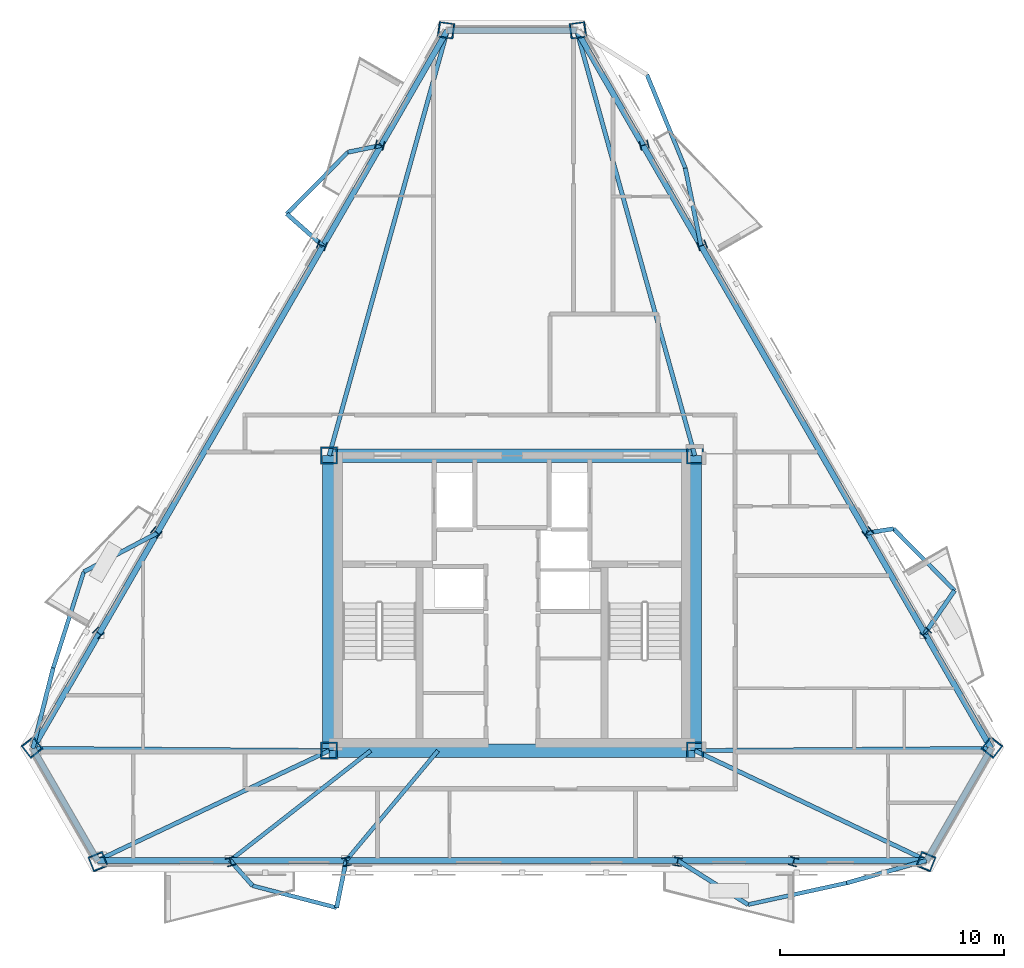
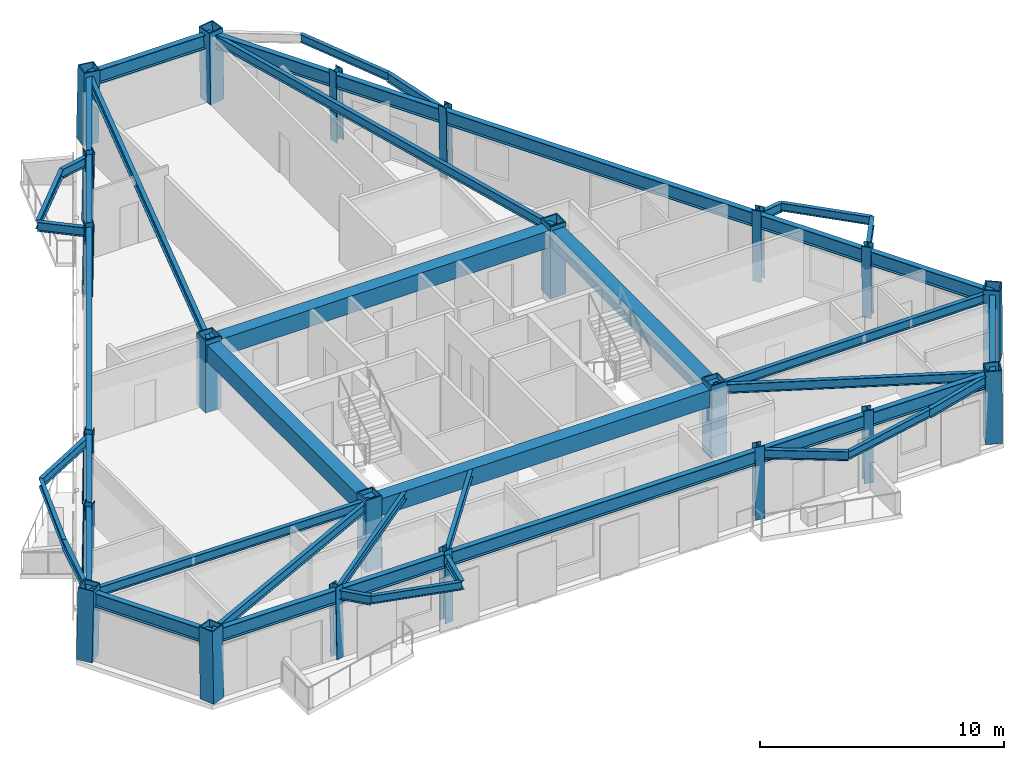
# One storey, part 1 of 9: 47 beams, 22 columns.
"""IFC4 building model written with IfcOpenShell, lengths in metres."""

from ifc_helpers import new_model, si_unit, direction, frame, origin, origin_2d, place, context, subcontext, project, spatial, rectangle, hollow_rectangle, i_section, extrude, material, material_profile, profile_set, type_object, element, save


model = new_model("IFC4")

# Units and contexts
model_context = context("Model", 3, precision=1e-05, world=origin(), true_north=direction((0.0, 1.0)))
body_context = subcontext(model_context, "Body", "Model", "MODEL_VIEW")
ifc_project = project(units=[si_unit("LENGTHUNIT", "METRE"), si_unit("AREAUNIT", "SQUARE_METRE"), si_unit("VOLUMEUNIT", "CUBIC_METRE"), si_unit("PLANEANGLEUNIT", "RADIAN"), si_unit("MASSUNIT", "GRAM", prefix="KILO")], contexts=[model_context])

# Site, building, storey
site_placement = place(None, origin())
site = spatial("IfcSite", under=ifc_project, at=site_placement, CompositionType="ELEMENT")
building_placement = place(site_placement, origin())
building = spatial("IfcBuilding", under=site, at=building_placement, Name="Oramaril Tower", CompositionType="ELEMENT")
storey_placement = place(building_placement, frame((0.0, 0.0, 237.89990234375)))
storey = spatial("IfcBuildingStorey", under=building, at=storey_placement, Name="L63", CompositionType="ELEMENT", Elevation=237.89990234375)

# Columns
ifc_material_1 = material(Name="Steel ASTM A572 Gr 50", Category="steel")
ifc_material_profile_1 = material_profile(ifc_material_1, hollow_rectangle(XDim=0.75, YDim=0.75, WallThickness=0.06005859375, at=origin_2d()), Name="BOX750X750X60")
ifc_profile_set_1 = profile_set([ifc_material_profile_1], Name="Steel ASTM A572 Gr 50")
column_type_1 = type_object("IfcColumnType", Name="CT-CC4", PredefinedType="COLUMN", material=ifc_profile_set_1)
for number, where, z_axis, x_axis, name in (
    (1, (29.35009765625, 11.0, 0.0), (0.0, 0.0, 1.0), (1.0, 0.0, 0.0), "L63 Core Column CC-1"),
    (2, (45.64990234375, 11.0, 0.0), (0.0, 0.0, 1.0), (1.0, 0.0, 0.0), "L63 Core Column CC-2"),
    (3, (45.64990234375, 24.14990234375, 0.0), (0.0, 0.0, 1.0), (1.0, 0.0, 0.0), "L63 Core Column CC-3"),
    (4, (29.35009765625, 24.14990234375, 0.0), (0.0, 0.0, 1.0), (1.0, 0.0, 0.0), "L63 Core Column CC-4"),
):
    element("IfcColumn", number, at=place(storey_placement, frame(where, z_axis=z_axis, x_axis=x_axis)), inside=storey, type_object=column_type_1, Name=name, PredefinedType="COLUMN", context=body_context, shape_type="SweptSolid", body=[
        extrude(hollow_rectangle(XDim=0.75, YDim=0.75, WallThickness=0.06005859375, at=origin_2d()), origin(), (0.0, 0.0, 1.0), 3.60009765625),
    ])
ifc_material_2 = material(Name="Steel ASTM A572 Gr 50", Category="steel")
ifc_material_profile_2 = material_profile(ifc_material_2, hollow_rectangle(XDim=0.699951171875, YDim=0.699951171875, WallThickness=0.054931640625, at=origin_2d()), Name="BOX700X700X55")
ifc_profile_set_2 = profile_set([ifc_material_profile_2], Name="Steel ASTM A572 Gr 50")
column_type_2 = type_object("IfcColumnType", Name="CT-TC4", PredefinedType="COLUMN", material=ifc_profile_set_2)
for number, where, z_axis, x_axis, name in (
    (5, (16.1005859375, 11.15087890625, 0.004638671875), (0.011691402195, -0.015022092356, 0.999818807513), (0.789159901626, 0.614187796741, 0.0), "L63 Tube Column TC-01"),
    (6, (19.050048828125, 6.042236328125, 0.004638671875), (-0.00713719846, 0.017605089536, 0.999819544328), (-0.926739268223, -0.375705108739, 0.0), "L63 Tube Column TC-02"),
    (7, (55.949951171875, 6.042236328125, 0.004638671875), (0.00713719846, 0.017605089536, 0.999819544328), (-0.926739268223, 0.375705108739, 0.0), "L63 Tube Column TC-03"),
    (8, (58.8994140625, 11.15087890625, 0.004638671875), (-0.011691402195, -0.015022092356, 0.999818807513), (0.789159901626, -0.614187796741, 0.0), "L63 Tube Column TC-04"),
    (9, (40.449462890625, 43.10693359375, 0.004638671875), (-0.018828606357, -0.00258298571, 0.999819389574), (0.135911187526, -0.990721024863, 0.0), "L63 Tube Column TC-05"),
    (10, (34.550537109375, 43.10693359375, 0.004638671875), (0.018828606357, -0.00258298571, 0.999819389574), (0.135911187526, 0.990721024863, 0.0), "L63 Tube Column TC-06"),
):
    element("IfcColumn", number, at=place(storey_placement, frame(where, z_axis=z_axis, x_axis=x_axis)), inside=storey, type_object=column_type_2, Name=name, PredefinedType="COLUMN", context=body_context, shape_type="SweptSolid", body=[
        extrude(hollow_rectangle(XDim=0.699951171875, YDim=0.699951171875, WallThickness=0.054931640625, at=origin_2d()), origin(), (0.0, 0.0, 1.0), 3.591796875),
    ])
ifc_material_3 = material(Name="Steel ASTM A572 Gr 50", Category="steel")
ifc_material_profile_3 = material_profile(ifc_material_3, i_section(OverallWidth=0.39892578125, OverallDepth=0.385986328125, WebThickness=0.02099609375, FlangeThickness=0.033203125, at=origin_2d()), Name="W14X176")
ifc_profile_set_3 = profile_set([ifc_material_profile_3], Name="Steel ASTM A572 Gr 50")
column_type_3 = type_object("IfcColumnType", Name="CT-TF4", PredefinedType="COLUMN", material=ifc_profile_set_3)
for number, where, z_axis, x_axis, name in (
    (11, (24.9541015625, 6.042236328125, 0.004638671875), (-0.004894144985, 0.0176053271, 0.999833035963), (-0.963464596251, -0.267835717877, 0.0), "L63 Tube Column TC-07"),
    (12, (30.1201171875, 6.042236328125, 0.004638671875), (-0.002854940465, 0.017605466202, 0.999840935787), (-0.987105477748, -0.160071158554, 0.0), "L63 Tube Column TC-08"),
    (13, (44.8798828125, 6.042236328125, 0.004638671875), (0.002854940465, 0.017605466202, 0.999840935787), (-0.987105477748, 0.160071158554, 0.0), "L63 Tube Column TC-09"),
    (14, (50.0458984375, 6.042236328125, 0.004638671875), (0.004894144985, 0.0176053271, 0.999833035963), (-0.963464596251, 0.267835717877, 0.0), "L63 Tube Column TC-10"),
    (15, (55.947509765625, 16.263916015625, 0.004638671875), (-0.012847121089, -0.013051043646, 0.999832296808), (0.712652459189, -0.701517264514, 0.0), "L63 Tube Column TC-11"),
    (16, (53.364501953125, 20.73779296875, 0.004638671875), (-0.013866832544, -0.011351769779, 0.999839411245), (0.633444321555, -0.773788273037, 0.0), "L63 Tube Column TC-12"),
    (17, (45.984375, 33.52001953125, 0.004638671875), (-0.016653833078, -0.006253684258, 0.999841758118), (0.3515421583, -0.936172051996, 0.0), "L63 Tube Column TC-13"),
    (18, (43.4013671875, 37.993896484375, 0.004638671875), (-0.017673308522, -0.004554275658, 0.999833442499), (0.249540075489, -0.968364472048, 0.0), "L63 Tube Column TC-14"),
    (19, (31.5986328125, 37.993896484375, 0.004638671875), (0.017673308522, -0.004554275658, 0.999833442499), (0.249540075489, 0.968364472048, 0.0), "L63 Tube Column TC-15"),
    (20, (29.015625, 33.52001953125, 0.004638671875), (0.016653833078, -0.006253684258, 0.999841758118), (0.3515421583, 0.936172051996, 0.0), "L63 Tube Column TC-16"),
    (21, (21.635498046875, 20.73779296875, 0.004638671875), (0.013866832544, -0.011351769779, 0.999839411245), (0.633444321555, 0.773788273037, 0.0), "L63 Tube Column TC-17"),
    (22, (19.052490234375, 16.263916015625, 0.004638671875), (0.012847121089, -0.013051043646, 0.999832296808), (0.712652459189, 0.701517264514, 0.0), "L63 Tube Column TC-18"),
):
    element("IfcColumn", number, at=place(storey_placement, frame(where, z_axis=z_axis, x_axis=x_axis)), inside=storey, type_object=column_type_3, Name=name, PredefinedType="COLUMN", context=body_context, shape_type="SweptSolid", body=[
        extrude(i_section(OverallWidth=0.39892578125, OverallDepth=0.385986328125, WebThickness=0.02099609375, FlangeThickness=0.033203125, at=origin_2d()), origin(), (0.0, 0.0, 1.0), 3.591552734375),
    ])

# Beams
ifc_material_4 = material(Name="Steel ASTM A572 Gr 50", Category="steel")
ifc_material_profile_4 = material_profile(ifc_material_4, i_section(OverallWidth=0.19091796875, OverallDepth=0.45703125, WebThickness=0.009033203125, FlangeThickness=0.014404296875, at=origin_2d()), Name="W18X50")
ifc_profile_set_4 = profile_set([ifc_material_profile_4], Name="Steel ASTM A572 Gr 50")
beam_type_1 = type_object("IfcBeamType", Name="BT-BB1", PredefinedType="BEAM", material=ifc_profile_set_4)
beam_1_placement = place(storey_placement, frame((29.35009765625, 11.0, 3.151611328125), z_axis=(-0.999973074049, 0.007338336175, 0.0), x_axis=(-0.007338336175, -0.999973074049, 0.0)))
element("IfcBeam", 23, at=beam_1_placement, inside=storey, type_object=beam_type_1, Name="L63 Radial Primary Beam RB-01", PredefinedType="BEAM", context=body_context, shape_type="SweptSolid", body=[
    extrude(i_section(OverallWidth=0.19091796875, OverallDepth=0.45703125, WebThickness=0.009033203125, FlangeThickness=0.014404296875, at=origin_2d()), origin(), (0.0, 0.0, 1.0), 13.207763671875),
])
for number, where, z_axis, x_axis, name in (
    (24, (29.35009765625, 11.0, 3.151611328125), (-0.903622085467, -0.428330627735, 0.0), (0.428330627735, -0.903622085467, 0.0), "L63 Radial Primary Beam RB-02"),
    (25, (45.64990234375, 11.0, 3.151611328125), (0.903622085467, -0.428330627735, 0.0), (0.428330627735, 0.903622085467, 0.0), "L63 Radial Primary Beam RB-03"),
):
    element("IfcBeam", number, at=place(storey_placement, frame(where, z_axis=z_axis, x_axis=x_axis)), inside=storey, type_object=beam_type_1, Name=name, PredefinedType="BEAM", context=body_context, shape_type="SweptSolid", body=[
        extrude(i_section(OverallWidth=0.19091796875, OverallDepth=0.45703125, WebThickness=0.009033203125, FlangeThickness=0.014404296875, at=origin_2d()), origin(), (0.0, 0.0, 1.0), 11.427001953125),
    ])
beam_2_placement = place(storey_placement, frame((45.64990234375, 11.0, 3.151611328125), z_axis=(0.999973074049, 0.007338336175, 0.0), x_axis=(-0.007338336175, 0.999973074049, 0.0)))
element("IfcBeam", 26, at=beam_2_placement, inside=storey, type_object=beam_type_1, Name="L63 Radial Primary Beam RB-04", PredefinedType="BEAM", context=body_context, shape_type="SweptSolid", body=[
    extrude(i_section(OverallWidth=0.19091796875, OverallDepth=0.45703125, WebThickness=0.009033203125, FlangeThickness=0.014404296875, at=origin_2d()), origin(), (0.0, 0.0, 1.0), 13.207763671875),
])
for number, where, z_axis, x_axis, name in (
    (27, (45.64990234375, 24.14990234375, 3.151611328125), (-0.26787051073, 0.96345492343, 0.0), (-0.96345492343, -0.26787051073, 0.0), "L63 Radial Primary Beam RB-05"),
    (28, (29.35009765625, 24.14990234375, 3.151611328125), (0.26787051073, 0.96345492343, 0.0), (-0.96345492343, 0.26787051073, 0.0), "L63 Radial Primary Beam RB-06"),
):
    element("IfcBeam", number, at=place(storey_placement, frame(where, z_axis=z_axis, x_axis=x_axis)), inside=storey, type_object=beam_type_1, Name=name, PredefinedType="BEAM", context=body_context, shape_type="SweptSolid", body=[
        extrude(i_section(OverallWidth=0.19091796875, OverallDepth=0.45703125, WebThickness=0.009033203125, FlangeThickness=0.014404296875, at=origin_2d()), origin(), (0.0, 0.0, 1.0), 19.66650390625),
    ])
beam_3_placement = place(storey_placement, frame((24.9365234375, 6.10546875, 3.151611328125), z_axis=(0.663488880786, -0.748186143332, 0.0), x_axis=(0.748186143332, 0.663488880786, 0.0)))
element("IfcBeam", 29, at=beam_3_placement, inside=storey, type_object=beam_type_1, Name="L63 Balcony Column-Framed Cantilever 01.1", PredefinedType="BEAM", context=body_context, shape_type="SweptSolid", body=[
    extrude(i_section(OverallWidth=0.19091796875, OverallDepth=0.45703125, WebThickness=0.009033203125, FlangeThickness=0.014404296875, at=origin_2d()), origin(), (0.0, 0.0, 1.0), 1.507568359375),
])
beam_4_placement = place(storey_placement, frame((30.10986328125, 6.10546875, 3.151611328125), z_axis=(-0.199410748188, -0.979915993087, 0.0), x_axis=(0.979915993087, -0.199410748188, 0.0)))
element("IfcBeam", 30, at=beam_4_placement, inside=storey, type_object=beam_type_1, Name="L63 Balcony Column-Framed Cantilever 01.2", PredefinedType="BEAM", context=body_context, shape_type="SweptSolid", body=[
    extrude(i_section(OverallWidth=0.19091796875, OverallDepth=0.45703125, WebThickness=0.009033203125, FlangeThickness=0.014404296875, at=origin_2d()), origin(), (0.0, 0.0, 1.0), 2.151123046875),
])
for number, where, z_axis, x_axis, name in (
    (31, (44.89013671875, 6.10546875, 3.151611328125), (0.846690906257, -0.532085058296, 0.0), (0.532085058296, 0.846690906257, 0.0), "L63 Balcony Column-Framed Cantilever 02.1"),
    (32, (55.9755859375, 6.10546875, 3.151611328125), (-0.96224518264, -0.272184144442, 0.0), (0.272184144442, -0.96224518264, 0.0), "L63 Balcony Column-Framed Cantilever 02.2"),
):
    element("IfcBeam", number, at=place(storey_placement, frame(where, z_axis=z_axis, x_axis=x_axis)), inside=storey, type_object=beam_type_1, Name=name, PredefinedType="BEAM", context=body_context, shape_type="SweptSolid", body=[
        extrude(i_section(OverallWidth=0.19091796875, OverallDepth=0.45703125, WebThickness=0.009033203125, FlangeThickness=0.014404296875, at=origin_2d()), origin(), (0.0, 0.0, 1.0), 3.699951171875),
    ])
beam_5_placement = place(storey_placement, frame((55.9013671875, 16.217041015625, 3.151611328125), z_axis=(0.568077678984, 0.822974939254, 0.0), x_axis=(-0.822974939254, 0.568077678984, 0.0)))
element("IfcBeam", 33, at=beam_5_placement, inside=storey, type_object=beam_type_1, Name="L63 Balcony Column-Framed Cantilever 03.1", PredefinedType="BEAM", context=body_context, shape_type="SweptSolid", body=[
    extrude(i_section(OverallWidth=0.19091796875, OverallDepth=0.45703125, WebThickness=0.009033203125, FlangeThickness=0.014404296875, at=origin_2d()), origin(), (0.0, 0.0, 1.0), 2.333251953125),
])
beam_6_placement = place(storey_placement, frame((53.314697265625, 20.697021484375, 3.151611328125), z_axis=(0.987180526202, 0.159607671142, 0.0), x_axis=(-0.159607671142, 0.987180526202, 0.0)))
element("IfcBeam", 34, at=beam_6_placement, inside=storey, type_object=beam_type_1, Name="L63 Balcony Column-Framed Cantilever 03.2", PredefinedType="BEAM", context=body_context, shape_type="SweptSolid", body=[
    extrude(i_section(OverallWidth=0.19091796875, OverallDepth=0.45703125, WebThickness=0.009033203125, FlangeThickness=0.014404296875, at=origin_2d()), origin(), (0.0, 0.0, 1.0), 1.206787109375),
])
beam_7_placement = place(storey_placement, frame((45.924560546875, 33.49755859375, 3.151611328125), z_axis=(-0.197880522891, 0.980226146693, 0.0), x_axis=(-0.980226146693, -0.197880522891, 0.0)))
element("IfcBeam", 35, at=beam_7_placement, inside=storey, type_object=beam_type_1, Name="L63 Balcony Column-Framed Cantilever 04.1", PredefinedType="BEAM", context=body_context, shape_type="SweptSolid", body=[
    extrude(i_section(OverallWidth=0.19091796875, OverallDepth=0.45703125, WebThickness=0.009033203125, FlangeThickness=0.014404296875, at=origin_2d()), origin(), (0.0, 0.0, 1.0), 3.53857421875),
])
beam_8_placement = place(storey_placement, frame((31.662109375, 37.9775390625, 3.151611328125), z_axis=(-0.97969903288, -0.20047395086, 0.0), x_axis=(0.20047395086, -0.97969903288, 0.0)))
element("IfcBeam", 36, at=beam_8_placement, inside=storey, type_object=beam_type_1, Name="L63 Balcony Column-Framed Cantilever 05.1", PredefinedType="BEAM", context=body_context, shape_type="SweptSolid", body=[
    extrude(i_section(OverallWidth=0.19091796875, OverallDepth=0.45703125, WebThickness=0.009033203125, FlangeThickness=0.014404296875, at=origin_2d()), origin(), (0.0, 0.0, 1.0), 1.507568359375),
])
beam_9_placement = place(storey_placement, frame((29.075439453125, 33.49755859375, 3.151611328125), z_axis=(-0.748972732154, 0.662600819869, 0.0), x_axis=(-0.662600819869, -0.748972732154, 0.0)))
element("IfcBeam", 37, at=beam_9_placement, inside=storey, type_object=beam_type_1, Name="L63 Balcony Column-Framed Cantilever 05.2", PredefinedType="BEAM", context=body_context, shape_type="SweptSolid", body=[
    extrude(i_section(OverallWidth=0.19091796875, OverallDepth=0.45703125, WebThickness=0.009033203125, FlangeThickness=0.014404296875, at=origin_2d()), origin(), (0.0, 0.0, 1.0), 2.151123046875),
])
for number, where, z_axis, x_axis, name in (
    (38, (21.685302734375, 20.697021484375, 3.151611328125), (-0.884172815164, -0.467159965027, 0.0), (0.467159965027, -0.884172815164, 0.0), "L63 Balcony Column-Framed Cantilever 06.1"),
    (39, (16.142578125, 11.096923828125, 3.151611328125), (0.245329243552, 0.969439818791, 0.0), (-0.969439818791, 0.245329243552, 0.0), "L63 Balcony Column-Framed Cantilever 06.2"),
):
    element("IfcBeam", number, at=place(storey_placement, frame(where, z_axis=z_axis, x_axis=x_axis)), inside=storey, type_object=beam_type_1, Name=name, PredefinedType="BEAM", context=body_context, shape_type="SweptSolid", body=[
        extrude(i_section(OverallWidth=0.19091796875, OverallDepth=0.45703125, WebThickness=0.009033203125, FlangeThickness=0.014404296875, at=origin_2d()), origin(), (0.0, 0.0, 1.0), 3.699951171875),
    ])
ifc_material_5 = material(Name="Concrete C50/60", Category="concrete")
ifc_material_profile_5 = material_profile(ifc_material_5, rectangle(XDim=0.60009765625, YDim=0.85009765625, at=origin_2d()), Name="CB600X850")
ifc_profile_set_5 = profile_set([ifc_material_profile_5], Name="Concrete C50/60")
beam_type_2 = type_object("IfcBeamType", Name="BT-CB2", PredefinedType="BEAM", material=ifc_profile_set_5)
beam_10_placement = place(storey_placement, frame((29.35009765625, 11.0, 2.955078125), z_axis=(1.0, 0.0, 0.0), x_axis=(0.0, 1.0, 0.0)))
element("IfcBeam", 40, at=beam_10_placement, inside=storey, type_object=beam_type_2, Name="L63 Core Header Beam CB-1", PredefinedType="BEAM", context=body_context, shape_type="SweptSolid", body=[
    extrude(rectangle(XDim=0.60009765625, YDim=0.85009765625, at=origin_2d()), origin(), (0.0, 0.0, 1.0), 16.2998046875),
])
beam_11_placement = place(storey_placement, frame((45.64990234375, 11.0, 2.955078125), z_axis=(0.0, 1.0, 0.0), x_axis=(-1.0, 0.0, 0.0)))
element("IfcBeam", 41, at=beam_11_placement, inside=storey, type_object=beam_type_2, Name="L63 Core Header Beam CB-2", PredefinedType="BEAM", context=body_context, shape_type="SweptSolid", body=[
    extrude(rectangle(XDim=0.60009765625, YDim=0.85009765625, at=origin_2d()), origin(), (0.0, 0.0, 1.0), 13.14990234375),
])
beam_12_placement = place(storey_placement, frame((45.64990234375, 24.14990234375, 2.955078125), z_axis=(-1.0, 0.0, 0.0), x_axis=(0.0, -1.0, 0.0)))
element("IfcBeam", 42, at=beam_12_placement, inside=storey, type_object=beam_type_2, Name="L63 Core Header Beam CB-3", PredefinedType="BEAM", context=body_context, shape_type="SweptSolid", body=[
    extrude(rectangle(XDim=0.60009765625, YDim=0.85009765625, at=origin_2d()), origin(), (0.0, 0.0, 1.0), 16.2998046875),
])
beam_13_placement = place(storey_placement, frame((29.35009765625, 24.14990234375, 2.955078125), z_axis=(0.0, -1.0, 0.0), x_axis=(1.0, 0.0, 0.0)))
element("IfcBeam", 43, at=beam_13_placement, inside=storey, type_object=beam_type_2, Name="L63 Core Header Beam CB-4", PredefinedType="BEAM", context=body_context, shape_type="SweptSolid", body=[
    extrude(rectangle(XDim=0.60009765625, YDim=0.85009765625, at=origin_2d()), origin(), (0.0, 0.0, 1.0), 13.14990234375),
])
ifc_material_6 = material(Name="Steel ASTM A572 Gr 50", Category="steel")
ifc_material_profile_6 = material_profile(ifc_material_6, i_section(OverallWidth=0.177978515625, OverallDepth=0.404052734375, WebThickness=0.007568359375, FlangeThickness=0.010986328125, at=origin_2d()), Name="W16X36")
ifc_profile_set_6 = profile_set([ifc_material_profile_6], Name="Steel ASTM A572 Gr 50")
beam_type_3 = type_object("IfcBeamType", Name="BT-SB1", PredefinedType="BEAM", material=ifc_profile_set_6)
beam_14_placement = place(storey_placement, frame((31.199951171875, 11.0, 3.177978515625), z_axis=(-0.787949400639, -0.615739995479, 0.0), x_axis=(0.615739995479, -0.787949400639, 0.0)))
element("IfcBeam", 44, at=beam_14_placement, inside=storey, type_object=beam_type_3, Name="L63 Secondary Floor Beam SB-01", PredefinedType="BEAM", context=body_context, shape_type="SweptSolid", body=[
    extrude(i_section(OverallWidth=0.177978515625, OverallDepth=0.404052734375, WebThickness=0.007568359375, FlangeThickness=0.010986328125, at=origin_2d()), origin(), (0.0, 0.0, 1.0), 7.948974609375),
])
beam_15_placement = place(storey_placement, frame((34.199951171875, 11.0, 3.177978515625), z_axis=(-0.641230422435, -0.7673483859, 0.0), x_axis=(0.7673483859, -0.641230422435, 0.0)))
element("IfcBeam", 45, at=beam_15_placement, inside=storey, type_object=beam_type_3, Name="L63 Secondary Floor Beam SB-02", PredefinedType="BEAM", context=body_context, shape_type="SweptSolid", body=[
    extrude(i_section(OverallWidth=0.177978515625, OverallDepth=0.404052734375, WebThickness=0.007568359375, FlangeThickness=0.010986328125, at=origin_2d()), origin(), (0.0, 0.0, 1.0), 6.37841796875),
])
beam_16_placement = place(storey_placement, frame((25.936767578125, 4.9775390625, 3.177978515625), z_axis=(0.967411967632, -0.253207592467, 0.0), x_axis=(0.253207592467, 0.967411967632, 0.0)))
element("IfcBeam", 46, at=beam_16_placement, inside=storey, type_object=beam_type_3, Name="L63 Balcony Edge Tie Beam 01", PredefinedType="BEAM", context=body_context, shape_type="SweptSolid", body=[
    extrude(i_section(OverallWidth=0.177978515625, OverallDepth=0.404052734375, WebThickness=0.007568359375, FlangeThickness=0.010986328125, at=origin_2d()), origin(), (0.0, 0.0, 1.0), 3.870361328125),
])
beam_17_placement = place(storey_placement, frame((48.02294921875, 4.13671875, 3.177978515625), z_axis=(0.976860682208, 0.213876617599, 0.0), x_axis=(-0.213876617599, 0.976860682208, 0.0)))
element("IfcBeam", 47, at=beam_17_placement, inside=storey, type_object=beam_type_3, Name="L63 Balcony Edge Tie Beam 02", PredefinedType="BEAM", context=body_context, shape_type="SweptSolid", body=[
    extrude(i_section(OverallWidth=0.177978515625, OverallDepth=0.404052734375, WebThickness=0.007568359375, FlangeThickness=0.010986328125, at=origin_2d()), origin(), (0.0, 0.0, 1.0), 4.496337890625),
])
beam_18_placement = place(storey_placement, frame((57.226806640625, 18.13720703125, 3.177978515625), z_axis=(-0.702994511648, 0.71119527318, 0.0), x_axis=(-0.71119527318, -0.702994511648, 0.0)))
element("IfcBeam", 48, at=beam_18_placement, inside=storey, type_object=beam_type_3, Name="L63 Balcony Edge Tie Beam 03", PredefinedType="BEAM", context=body_context, shape_type="SweptSolid", body=[
    extrude(i_section(OverallWidth=0.177978515625, OverallDepth=0.404052734375, WebThickness=0.007568359375, FlangeThickness=0.010986328125, at=origin_2d()), origin(), (0.0, 0.0, 1.0), 3.8701171875),
])
beam_19_placement = place(storey_placement, frame((45.224365234375, 36.966064453125, 3.177978515625), z_axis=(-0.379811104954, 0.925064065108, 0.0), x_axis=(-0.925064065108, -0.379811104954, 0.0)))
element("IfcBeam", 49, at=beam_19_placement, inside=storey, type_object=beam_type_3, Name="L63 Balcony Edge Tie Beam 04", PredefinedType="BEAM", context=body_context, shape_type="SweptSolid", body=[
    extrude(i_section(OverallWidth=0.177978515625, OverallDepth=0.404052734375, WebThickness=0.007568359375, FlangeThickness=0.010986328125, at=origin_2d()), origin(), (0.0, 0.0, 1.0), 4.500732421875),
])
beam_20_placement = place(storey_placement, frame((30.18505859375, 37.67529296875, 3.177978515625), z_axis=(-0.702994511648, -0.71119527318, 0.0), x_axis=(0.71119527318, -0.702994511648, 0.0)))
element("IfcBeam", 50, at=beam_20_placement, inside=storey, type_object=beam_type_3, Name="L63 Balcony Edge Tie Beam 05", PredefinedType="BEAM", context=body_context, shape_type="SweptSolid", body=[
    extrude(i_section(OverallWidth=0.177978515625, OverallDepth=0.404052734375, WebThickness=0.007568359375, FlangeThickness=0.010986328125, at=origin_2d()), origin(), (0.0, 0.0, 1.0), 3.8701171875),
])
beam_21_placement = place(storey_placement, frame((18.413818359375, 18.968505859375, 3.177978515625), z_axis=(-0.303248479942, -0.952911517095, 0.0), x_axis=(0.952911517095, -0.303248479942, 0.0)))
element("IfcBeam", 51, at=beam_21_placement, inside=storey, type_object=beam_type_3, Name="L63 Balcony Edge Tie Beam 06", PredefinedType="BEAM", context=body_context, shape_type="SweptSolid", body=[
    extrude(i_section(OverallWidth=0.177978515625, OverallDepth=0.404052734375, WebThickness=0.007568359375, FlangeThickness=0.010986328125, at=origin_2d()), origin(), (0.0, 0.0, 1.0), 4.496337890625),
])
ifc_material_7 = material(Name="Steel ASTM A572 Gr 50", Category="steel")
ifc_material_profile_7 = material_profile(ifc_material_7, i_section(OverallWidth=0.257080078125, OverallDepth=0.693115234375, WebThickness=0.014404296875, FlangeThickness=0.023681640625, at=origin_2d()), Name="W27X114")
ifc_profile_set_7 = profile_set([ifc_material_profile_7], Name="Steel ASTM A572 Gr 50")
beam_type_4 = type_object("IfcBeamType", Name="BT-SP4", PredefinedType="SPANDREL", material=ifc_profile_set_7)
beam_22_placement = place(storey_placement, frame((16.142578125, 11.096923828125, 3.03369140625), z_axis=(0.500002342851, -0.866024051134, 0.0), x_axis=(0.866024051134, 0.500002342851, 0.0)))
element("IfcBeam", 52, at=beam_22_placement, inside=storey, type_object=beam_type_4, Name="L63 Perimeter Spandrel 01", PredefinedType="SPANDREL", context=body_context, shape_type="SweptSolid", body=[
    extrude(i_section(OverallWidth=0.257080078125, OverallDepth=0.693115234375, WebThickness=0.014404296875, FlangeThickness=0.023681640625, at=origin_2d()), origin(), (0.0, 0.0, 1.0), 5.763671875),
])
beam_23_placement = place(storey_placement, frame((19.0244140625, 6.10546875, 3.03369140625), z_axis=(1.0, 0.0, 0.0), x_axis=(0.0, 1.0, 0.0)))
element("IfcBeam", 53, at=beam_23_placement, inside=storey, type_object=beam_type_4, Name="L63 Perimeter Spandrel 02", PredefinedType="SPANDREL", context=body_context, shape_type="SweptSolid", body=[
    extrude(i_section(OverallWidth=0.257080078125, OverallDepth=0.693115234375, WebThickness=0.014404296875, FlangeThickness=0.023681640625, at=origin_2d()), origin(), (0.0, 0.0, 1.0), 5.912109375),
])
beam_24_placement = place(storey_placement, frame((24.9365234375, 6.10546875, 3.03369140625), z_axis=(1.0, 0.0, 0.0), x_axis=(0.0, 1.0, 0.0)))
element("IfcBeam", 54, at=beam_24_placement, inside=storey, type_object=beam_type_4, Name="L63 Perimeter Spandrel 03", PredefinedType="SPANDREL", context=body_context, shape_type="SweptSolid", body=[
    extrude(i_section(OverallWidth=0.257080078125, OverallDepth=0.693115234375, WebThickness=0.014404296875, FlangeThickness=0.023681640625, at=origin_2d()), origin(), (0.0, 0.0, 1.0), 5.17333984375),
])
beam_25_placement = place(storey_placement, frame((30.10986328125, 6.10546875, 3.03369140625), z_axis=(1.0, 0.0, 0.0), x_axis=(0.0, 1.0, 0.0)))
element("IfcBeam", 55, at=beam_25_placement, inside=storey, type_object=beam_type_4, Name="L63 Perimeter Spandrel 04", PredefinedType="SPANDREL", context=body_context, shape_type="SweptSolid", body=[
    extrude(i_section(OverallWidth=0.257080078125, OverallDepth=0.693115234375, WebThickness=0.014404296875, FlangeThickness=0.023681640625, at=origin_2d()), origin(), (0.0, 0.0, 1.0), 14.7802734375),
])
beam_26_placement = place(storey_placement, frame((44.89013671875, 6.10546875, 3.03369140625), z_axis=(1.0, 0.0, 0.0), x_axis=(0.0, 1.0, 0.0)))
element("IfcBeam", 56, at=beam_26_placement, inside=storey, type_object=beam_type_4, Name="L63 Perimeter Spandrel 05", PredefinedType="SPANDREL", context=body_context, shape_type="SweptSolid", body=[
    extrude(i_section(OverallWidth=0.257080078125, OverallDepth=0.693115234375, WebThickness=0.014404296875, FlangeThickness=0.023681640625, at=origin_2d()), origin(), (0.0, 0.0, 1.0), 5.17333984375),
])
beam_27_placement = place(storey_placement, frame((50.0634765625, 6.10546875, 3.03369140625), z_axis=(1.0, 0.0, 0.0), x_axis=(0.0, 1.0, 0.0)))
element("IfcBeam", 57, at=beam_27_placement, inside=storey, type_object=beam_type_4, Name="L63 Perimeter Spandrel 06", PredefinedType="SPANDREL", context=body_context, shape_type="SweptSolid", body=[
    extrude(i_section(OverallWidth=0.257080078125, OverallDepth=0.693115234375, WebThickness=0.014404296875, FlangeThickness=0.023681640625, at=origin_2d()), origin(), (0.0, 0.0, 1.0), 5.912109375),
])
beam_28_placement = place(storey_placement, frame((55.9755859375, 6.10546875, 3.03369140625), z_axis=(0.500002342851, 0.866024051134, 0.0), x_axis=(-0.866024051134, 0.500002342851, 0.0)))
element("IfcBeam", 58, at=beam_28_placement, inside=storey, type_object=beam_type_4, Name="L63 Perimeter Spandrel 07", PredefinedType="SPANDREL", context=body_context, shape_type="SweptSolid", body=[
    extrude(i_section(OverallWidth=0.257080078125, OverallDepth=0.693115234375, WebThickness=0.014404296875, FlangeThickness=0.023681640625, at=origin_2d()), origin(), (0.0, 0.0, 1.0), 5.763671875),
])
beam_29_placement = place(storey_placement, frame((58.857421875, 11.096923828125, 3.03369140625), z_axis=(-0.499994120305, 0.866028798401, 0.0), x_axis=(-0.866028798401, -0.499994120305, 0.0)))
element("IfcBeam", 59, at=beam_29_placement, inside=storey, type_object=beam_type_4, Name="L63 Perimeter Spandrel 08", PredefinedType="SPANDREL", context=body_context, shape_type="SweptSolid", body=[
    extrude(i_section(OverallWidth=0.257080078125, OverallDepth=0.693115234375, WebThickness=0.014404296875, FlangeThickness=0.023681640625, at=origin_2d()), origin(), (0.0, 0.0, 1.0), 5.912109375),
])
beam_30_placement = place(storey_placement, frame((55.9013671875, 16.217041015625, 3.03369140625), z_axis=(-0.500022035744, 0.866012681068, 0.0), x_axis=(-0.866012681068, -0.500022035744, 0.0)))
element("IfcBeam", 60, at=beam_30_placement, inside=storey, type_object=beam_type_4, Name="L63 Perimeter Spandrel 09", PredefinedType="SPANDREL", context=body_context, shape_type="SweptSolid", body=[
    extrude(i_section(OverallWidth=0.257080078125, OverallDepth=0.693115234375, WebThickness=0.014404296875, FlangeThickness=0.023681640625, at=origin_2d()), origin(), (0.0, 0.0, 1.0), 5.173095703125),
])
beam_31_placement = place(storey_placement, frame((53.314697265625, 20.697021484375, 3.03369140625), z_axis=(-0.499986968025, 0.866032927668, 0.0), x_axis=(-0.866032927668, -0.499986968025, 0.0)))
element("IfcBeam", 61, at=beam_31_placement, inside=storey, type_object=beam_type_4, Name="L63 Perimeter Spandrel 10", PredefinedType="SPANDREL", context=body_context, shape_type="SweptSolid", body=[
    extrude(i_section(OverallWidth=0.257080078125, OverallDepth=0.693115234375, WebThickness=0.014404296875, FlangeThickness=0.023681640625, at=origin_2d()), origin(), (0.0, 0.0, 1.0), 14.78076171875),
])
beam_32_placement = place(storey_placement, frame((45.924560546875, 33.49755859375, 3.03369140625), z_axis=(-0.500022035744, 0.866012681068, 0.0), x_axis=(-0.866012681068, -0.500022035744, 0.0)))
element("IfcBeam", 62, at=beam_32_placement, inside=storey, type_object=beam_type_4, Name="L63 Perimeter Spandrel 11", PredefinedType="SPANDREL", context=body_context, shape_type="SweptSolid", body=[
    extrude(i_section(OverallWidth=0.257080078125, OverallDepth=0.693115234375, WebThickness=0.014404296875, FlangeThickness=0.023681640625, at=origin_2d()), origin(), (0.0, 0.0, 1.0), 5.173095703125),
])
beam_33_placement = place(storey_placement, frame((43.337890625, 37.9775390625, 3.03369140625), z_axis=(-0.499994120305, 0.866028798401, 0.0), x_axis=(-0.866028798401, -0.499994120305, 0.0)))
element("IfcBeam", 63, at=beam_33_placement, inside=storey, type_object=beam_type_4, Name="L63 Perimeter Spandrel 12", PredefinedType="SPANDREL", context=body_context, shape_type="SweptSolid", body=[
    extrude(i_section(OverallWidth=0.257080078125, OverallDepth=0.693115234375, WebThickness=0.014404296875, FlangeThickness=0.023681640625, at=origin_2d()), origin(), (0.0, 0.0, 1.0), 5.912109375),
])
beam_34_placement = place(storey_placement, frame((40.3818359375, 43.09765625, 3.03369140625), z_axis=(-1.0, 0.0, 0.0), x_axis=(0.0, -1.0, 0.0)))
element("IfcBeam", 64, at=beam_34_placement, inside=storey, type_object=beam_type_4, Name="L63 Perimeter Spandrel 13", PredefinedType="SPANDREL", context=body_context, shape_type="SweptSolid", body=[
    extrude(i_section(OverallWidth=0.257080078125, OverallDepth=0.693115234375, WebThickness=0.014404296875, FlangeThickness=0.023681640625, at=origin_2d()), origin(), (0.0, 0.0, 1.0), 5.763671875),
])
beam_35_placement = place(storey_placement, frame((34.6181640625, 43.09765625, 3.03369140625), z_axis=(-0.499994120305, -0.866028798401, 0.0), x_axis=(0.866028798401, -0.499994120305, 0.0)))
element("IfcBeam", 65, at=beam_35_placement, inside=storey, type_object=beam_type_4, Name="L63 Perimeter Spandrel 14", PredefinedType="SPANDREL", context=body_context, shape_type="SweptSolid", body=[
    extrude(i_section(OverallWidth=0.257080078125, OverallDepth=0.693115234375, WebThickness=0.014404296875, FlangeThickness=0.023681640625, at=origin_2d()), origin(), (0.0, 0.0, 1.0), 5.912109375),
])
beam_36_placement = place(storey_placement, frame((31.662109375, 37.9775390625, 3.03369140625), z_axis=(-0.500022035744, -0.866012681068, 0.0), x_axis=(0.866012681068, -0.500022035744, 0.0)))
element("IfcBeam", 66, at=beam_36_placement, inside=storey, type_object=beam_type_4, Name="L63 Perimeter Spandrel 15", PredefinedType="SPANDREL", context=body_context, shape_type="SweptSolid", body=[
    extrude(i_section(OverallWidth=0.257080078125, OverallDepth=0.693115234375, WebThickness=0.014404296875, FlangeThickness=0.023681640625, at=origin_2d()), origin(), (0.0, 0.0, 1.0), 5.173095703125),
])
beam_37_placement = place(storey_placement, frame((29.075439453125, 33.49755859375, 3.03369140625), z_axis=(-0.499986968025, -0.866032927668, 0.0), x_axis=(0.866032927668, -0.499986968025, 0.0)))
element("IfcBeam", 67, at=beam_37_placement, inside=storey, type_object=beam_type_4, Name="L63 Perimeter Spandrel 16", PredefinedType="SPANDREL", context=body_context, shape_type="SweptSolid", body=[
    extrude(i_section(OverallWidth=0.257080078125, OverallDepth=0.693115234375, WebThickness=0.014404296875, FlangeThickness=0.023681640625, at=origin_2d()), origin(), (0.0, 0.0, 1.0), 14.78076171875),
])
beam_38_placement = place(storey_placement, frame((21.685302734375, 20.697021484375, 3.03369140625), z_axis=(-0.500022035744, -0.866012681068, 0.0), x_axis=(0.866012681068, -0.500022035744, 0.0)))
element("IfcBeam", 68, at=beam_38_placement, inside=storey, type_object=beam_type_4, Name="L63 Perimeter Spandrel 17", PredefinedType="SPANDREL", context=body_context, shape_type="SweptSolid", body=[
    extrude(i_section(OverallWidth=0.257080078125, OverallDepth=0.693115234375, WebThickness=0.014404296875, FlangeThickness=0.023681640625, at=origin_2d()), origin(), (0.0, 0.0, 1.0), 5.173095703125),
])
beam_39_placement = place(storey_placement, frame((19.0986328125, 16.217041015625, 3.03369140625), z_axis=(-0.499994120305, -0.866028798401, 0.0), x_axis=(0.866028798401, -0.499994120305, 0.0)))
element("IfcBeam", 69, at=beam_39_placement, inside=storey, type_object=beam_type_4, Name="L63 Perimeter Spandrel 18", PredefinedType="SPANDREL", context=body_context, shape_type="SweptSolid", body=[
    extrude(i_section(OverallWidth=0.257080078125, OverallDepth=0.693115234375, WebThickness=0.014404296875, FlangeThickness=0.023681640625, at=origin_2d()), origin(), (0.0, 0.0, 1.0), 5.912109375),
])

save(model, "model.ifc")
